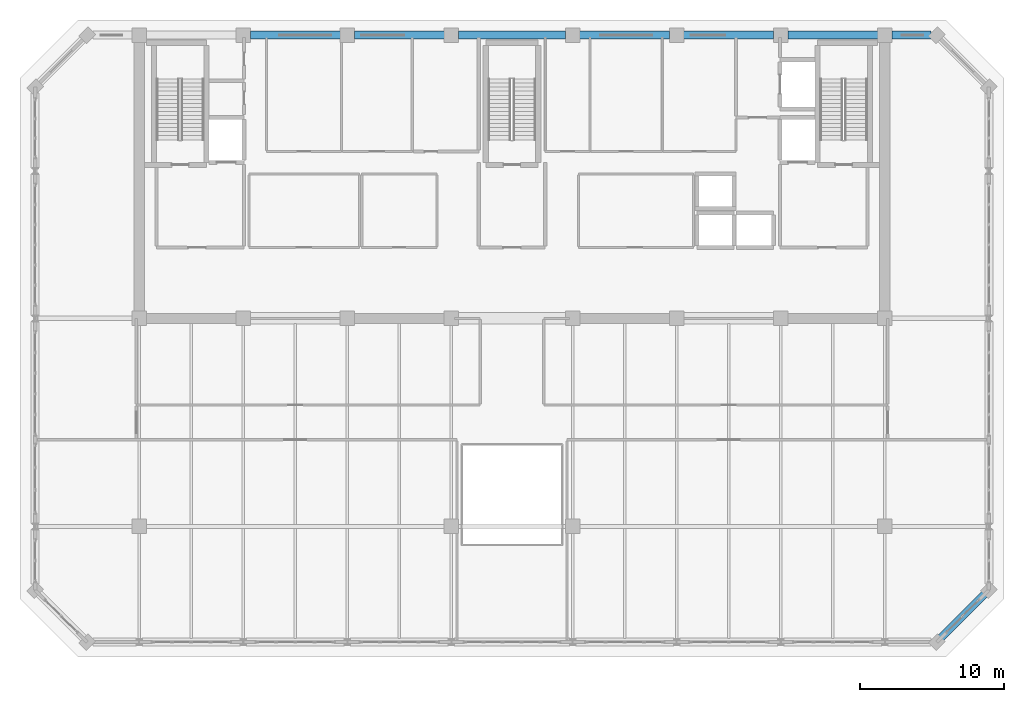
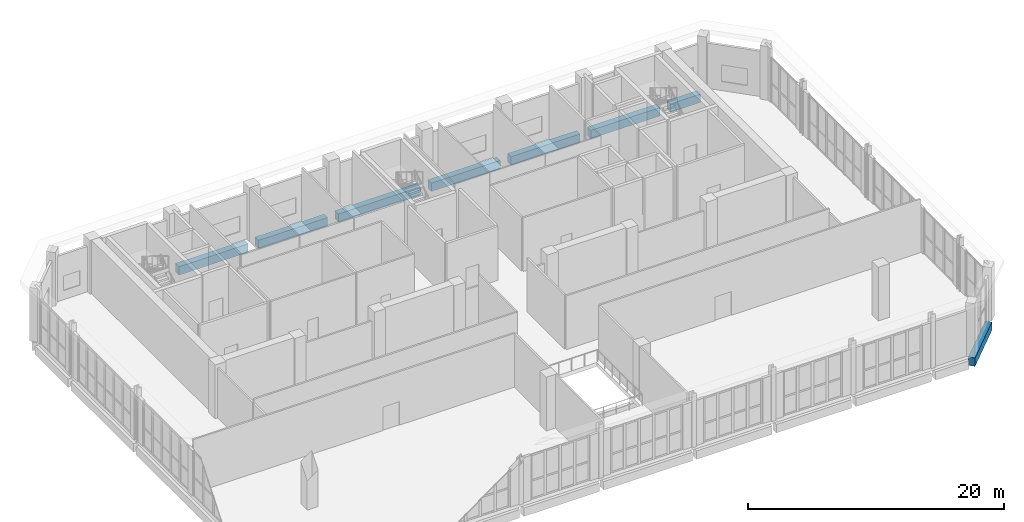
# One storey, part 13 of 26: 8 beams.
"""IFC4 building model written with IfcOpenShell, lengths in metres."""

from ifc_helpers import new_model, si_unit, direction, frame, origin, origin_2d, place, context, subcontext, project, spatial, rectangle, extrude, material, material_profile, profile_set, type_object, element, save


model = new_model("IFC4")

# Units and contexts
model_context = context("Model", 3, precision=1e-05, world=origin(), true_north=direction((0.0, 1.0)))
body_context = subcontext(model_context, "Body", "Model", "MODEL_VIEW")
ifc_project = project(units=[si_unit("LENGTHUNIT", "METRE"), si_unit("AREAUNIT", "SQUARE_METRE"), si_unit("VOLUMEUNIT", "CUBIC_METRE"), si_unit("PLANEANGLEUNIT", "RADIAN"), si_unit("MASSUNIT", "GRAM", prefix="KILO")], contexts=[model_context])

# Site, building, storey
site_placement = place(None, origin())
site = spatial("IfcSite", under=ifc_project, at=site_placement, CompositionType="ELEMENT")
building_placement = place(site_placement, origin())
building = spatial("IfcBuilding", under=site, at=building_placement, Name="Kaelvorn Grand Hotel", CompositionType="ELEMENT")
storey_placement = place(building_placement, frame((0.0, 0.0, 300.199951171875)))
storey = spatial("IfcBuildingStorey", under=building, at=storey_placement, Name="L73", CompositionType="ELEMENT", Elevation=300.199951171875)

# Beams
ifc_material = material(Name="Concrete C50/60", Category="concrete")
ifc_material_profile = material_profile(ifc_material, rectangle(XDim=0.550048828125, YDim=0.800048828125, at=origin_2d()), Name="RC SPANDREL 550x800")
ifc_profile_set = profile_set([ifc_material_profile], Name="Concrete C50/60")
beam_type = type_object("IfcBeamType", Name="BM-SP-550x800-C50", PredefinedType="SPANDREL", material=ifc_profile_set)
for number, where, z_axis, x_axis, name in (
    (1, (23.885009765625, 49.0, -0.780029296875), (1.0, 0.0, 0.0), (0.0, 1.0, 0.0), "L73 North Perimeter Spandrel 03"),
    (2, (31.0849609375, 49.0, -0.780029296875), (1.0, 0.0, 0.0), (0.0, 1.0, 0.0), "L73 North Perimeter Spandrel 04"),
):
    element("IfcBeam", number, at=place(storey_placement, frame(where, z_axis=z_axis, x_axis=x_axis)), inside=storey, type_object=beam_type, Name=name, PredefinedType="SPANDREL", context=body_context, shape_type="SweptSolid", body=[
        extrude(rectangle(XDim=0.550048828125, YDim=0.800048828125, at=origin_2d()), origin(), (0.0, 0.0, 1.0), 6.22998046875),
    ])
beam_1_placement = place(storey_placement, frame((38.284912109375, 49.0, -0.780029296875), z_axis=(1.0, 0.0, 0.0), x_axis=(0.0, 1.0, 0.0)))
element("IfcBeam", 3, at=beam_1_placement, inside=storey, type_object=beam_type, Name="L73 North Perimeter Spandrel 05", PredefinedType="SPANDREL", context=body_context, shape_type="SweptSolid", body=[
    extrude(rectangle(XDim=0.550048828125, YDim=0.800048828125, at=origin_2d()), origin(), (0.0, 0.0, 1.0), 7.43017578125),
])
for number, where, z_axis, x_axis, name in (
    (4, (46.68505859375, 49.0, -0.780029296875), (1.0, 0.0, 0.0), (0.0, 1.0, 0.0), "L73 North Perimeter Spandrel 06"),
    (5, (53.885009765625, 49.0, -0.780029296875), (1.0, 0.0, 0.0), (0.0, 1.0, 0.0), "L73 North Perimeter Spandrel 07"),
    (6, (61.0849609375, 49.0, -0.780029296875), (1.0, 0.0, 0.0), (0.0, 1.0, 0.0), "L73 North Perimeter Spandrel 08"),
):
    element("IfcBeam", number, at=place(storey_placement, frame(where, z_axis=z_axis, x_axis=x_axis)), inside=storey, type_object=beam_type, Name=name, PredefinedType="SPANDREL", context=body_context, shape_type="SweptSolid", body=[
        extrude(rectangle(XDim=0.550048828125, YDim=0.800048828125, at=origin_2d()), origin(), (0.0, 0.0, 1.0), 6.22998046875),
    ])
beam_2_placement = place(storey_placement, frame((68.284912109375, 49.0, -0.780029296875), z_axis=(1.0, 0.0, 0.0), x_axis=(0.0, 1.0, 0.0)))
element("IfcBeam", 7, at=beam_2_placement, inside=storey, type_object=beam_type, Name="L73 North Perimeter Spandrel 09", PredefinedType="SPANDREL", context=body_context, shape_type="SweptSolid", body=[
    extrude(rectangle(XDim=0.550048828125, YDim=0.800048828125, at=origin_2d()), origin(), (0.0, 0.0, 1.0), 2.710205078125),
])
beam_3_placement = place(storey_placement, frame((71.39990234375, 7.0, -0.780029296875), z_axis=(0.707106781187, 0.707106781187, 0.0), x_axis=(-0.707106781187, 0.707106781187, 0.0)))
element("IfcBeam", 8, at=beam_3_placement, inside=storey, type_object=beam_type, Name="L73 Chamfer Spandrel Beam 1", PredefinedType="SPANDREL", context=body_context, shape_type="SweptSolid", body=[
    extrude(rectangle(XDim=0.550048828125, YDim=0.800048828125, at=origin_2d()), origin(), (0.0, 0.0, 1.0), 5.09130859375),
])

save(model, "model.ifc")
